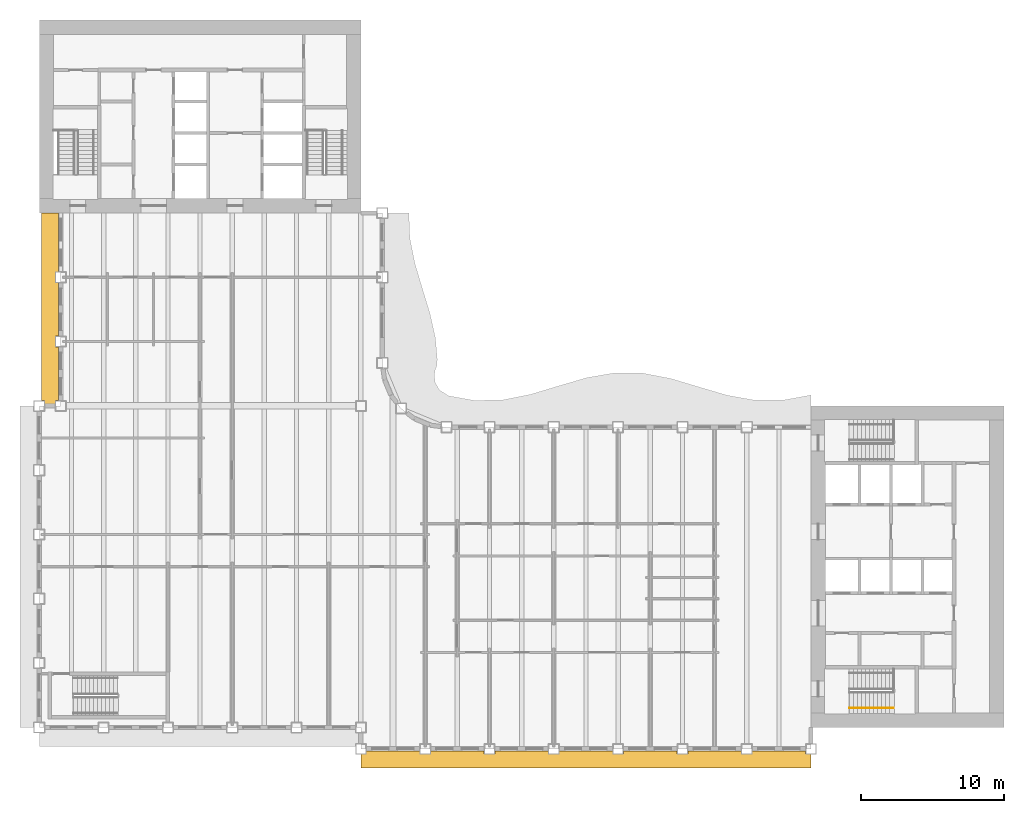
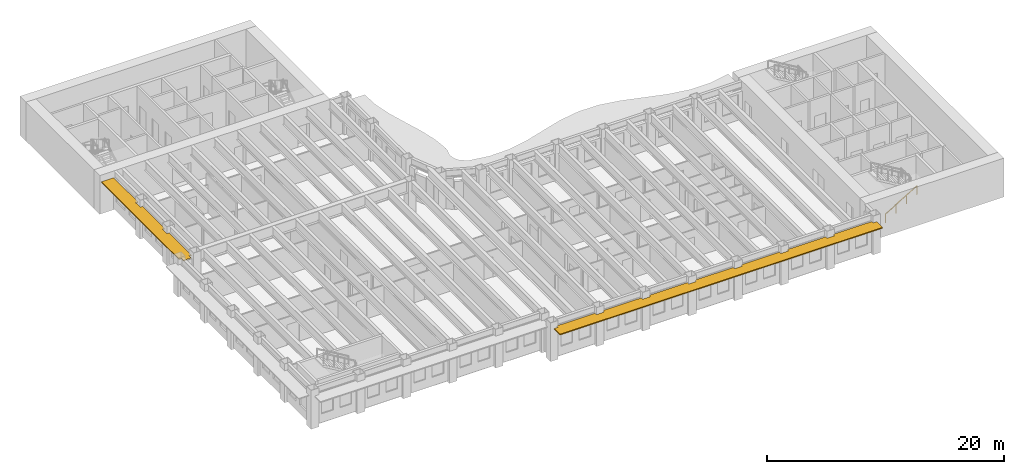
# One storey, part 12 of 16: 2 shading devices, 1 railing.
"""IFC4 building model written with IfcOpenShell, lengths in metres."""

from ifc_helpers import new_model, si_unit, direction, frame, origin, origin_2d, place, context, subcontext, project, spatial, polyline, rectangle, outline, extrude, material, layer, layer_set, type_object, element, save


model = new_model("IFC4")

# Units and contexts
model_context = context("Model", 3, precision=1e-05, world=origin(), true_north=direction((0.0, 1.0)))
body_context = subcontext(model_context, "Body", "Model", "MODEL_VIEW")
ifc_project = project(units=[si_unit("LENGTHUNIT", "METRE"), si_unit("AREAUNIT", "SQUARE_METRE"), si_unit("VOLUMEUNIT", "CUBIC_METRE"), si_unit("PLANEANGLEUNIT", "RADIAN"), si_unit("MASSUNIT", "GRAM", prefix="KILO")], contexts=[model_context])

# Site, building, storey
site_placement = place(None, origin())
site = spatial("IfcSite", under=ifc_project, at=site_placement, CompositionType="ELEMENT")
building_placement = place(site_placement, origin())
building = spatial("IfcBuilding", under=site, at=building_placement, Name="Sennacour Bend Tower", CompositionType="ELEMENT")
storey_placement = place(building_placement, frame((0.0, 0.0, 211.0)))
storey = spatial("IfcBuildingStorey", under=building, at=storey_placement, Name="L48", CompositionType="ELEMENT", Elevation=211.0)

# Railing
ifc_material_1 = material(Name="Stainless steel", Category="steel")
railing_type = type_object("IfcRailingType", Name="RL-HANDRAIL-900", PredefinedType="HANDRAIL", material=ifc_material_1)
railing_placement = place(storey_placement, frame((56.699951171875, 1.35009765625, 0.166748046875)))
element("IfcRailing", 1, at=railing_placement, inside=storey, type_object=railing_type, Name="L48 SA1 stair handrail 1", PredefinedType="HANDRAIL", context=body_context, shape_type="SweptSolid", body=[
    extrude(rectangle(XDim=0.048095703125, YDim=0.048095703125, at=origin_2d()), frame((0.0, 0.0, 0.8759765625), z_axis=(0.859308565015, 0.0, 0.511457515432), x_axis=(0.0, 1.0, 0.0)), (0.0, 0.0, 1.0), 3.58447265625),
    extrude(rectangle(XDim=0.0419921875, YDim=0.0419921875, at=origin_2d()), origin(), (0.0, 0.0, 1.0), 0.851806640625),
    extrude(rectangle(XDim=0.0419921875, YDim=0.0419921875, at=origin_2d()), frame((1.026611328125, 0.0, 0.611083984375)), (0.0, 0.0, 1.0), 0.851806640625),
    extrude(rectangle(XDim=0.0419921875, YDim=0.0419921875, at=origin_2d()), frame((2.053466796875, 0.0, 1.22216796875)), (0.0, 0.0, 1.0), 0.851806640625),
    extrude(rectangle(XDim=0.0419921875, YDim=0.0419921875, at=origin_2d()), frame((3.080078125, 0.0, 1.833251953125)), (0.0, 0.0, 1.0), 0.851806640625),
])

# Shading devices
ifc_material_2 = material(Name="Bronze anodised aluminium", Category="aluminium")
ifc_layer = layer(ifc_material_2, 0.10009765625, Name="Bronze anodised aluminium", Category="aluminium")
ifc_layer_set = layer_set([ifc_layer], Name="Bronze anodised aluminium")
shading_device_type = type_object("IfcShadingDeviceType", Name="SUNSHADE BAND STRAIGHT", PredefinedType="USERDEFINED", material=ifc_layer_set)
shading_device_1_placement = place(storey_placement, frame((0.0, 0.0, 3.056884765625)))
element("IfcShadingDevice", 2, at=shading_device_1_placement, inside=storey, type_object=shading_device_type, Name="Sunshade band L48 A outer face", ObjectType="SUNSHADE", PredefinedType="USERDEFINED", context=body_context, shape_type="SweptSolid", body=[
    extrude(outline(polyline([(26.625, -1.64990234375), (26.625, -1.875), (27.375, -1.875), (27.375, -1.64990234375), (31.125, -1.64990234375), (31.125, -1.875), (31.875, -1.875), (31.875, -1.64990234375), (35.625, -1.64990234375), (35.625, -1.875), (36.375, -1.875), (36.375, -1.64990234375), (40.125, -1.64990234375), (40.125, -1.875), (40.875, -1.875), (40.875, -1.64990234375), (44.625, -1.64990234375), (44.625, -1.875), (45.375, -1.875), (45.375, -1.64990234375), (49.125, -1.64990234375), (49.125, -1.875), (49.875, -1.875), (49.875, -1.64990234375), (53.625, -1.64990234375), (53.625, -1.875), (54.0, -1.875), (54.0, -2.85009765625), (22.5, -2.85009765625), (22.5, -1.875), (22.875, -1.875), (22.875, -1.64990234375), (26.625, -1.64990234375)])), origin(), (0.0, 0.0, 1.0), 0.10009765625),
])
shading_device_2_placement = place(storey_placement, frame((0.0, 0.0, 3.056884765625)))
element("IfcShadingDevice", 3, at=shading_device_2_placement, inside=storey, type_object=shading_device_type, Name="Sunshade band L48 B outer face", ObjectType="SUNSHADE", PredefinedType="USERDEFINED", context=body_context, shape_type="SweptSolid", body=[
    extrude(outline(polyline([(1.35009765625, 31.875), (1.125, 31.875), (1.125, 31.125), (1.35009765625, 31.125), (1.35009765625, 27.375), (1.125, 27.375), (1.125, 26.625), (1.35009765625, 26.625), (1.35009765625, 22.875), (1.125, 22.875), (1.125, 22.5), (0.375, 22.5), (0.375, 22.875), (0.14990234375, 22.875), (0.14990234375, 36.0), (1.35009765625, 36.0), (1.35009765625, 31.875)])), origin(), (0.0, 0.0, 1.0), 0.10009765625),
])

save(model, "model.ifc")
